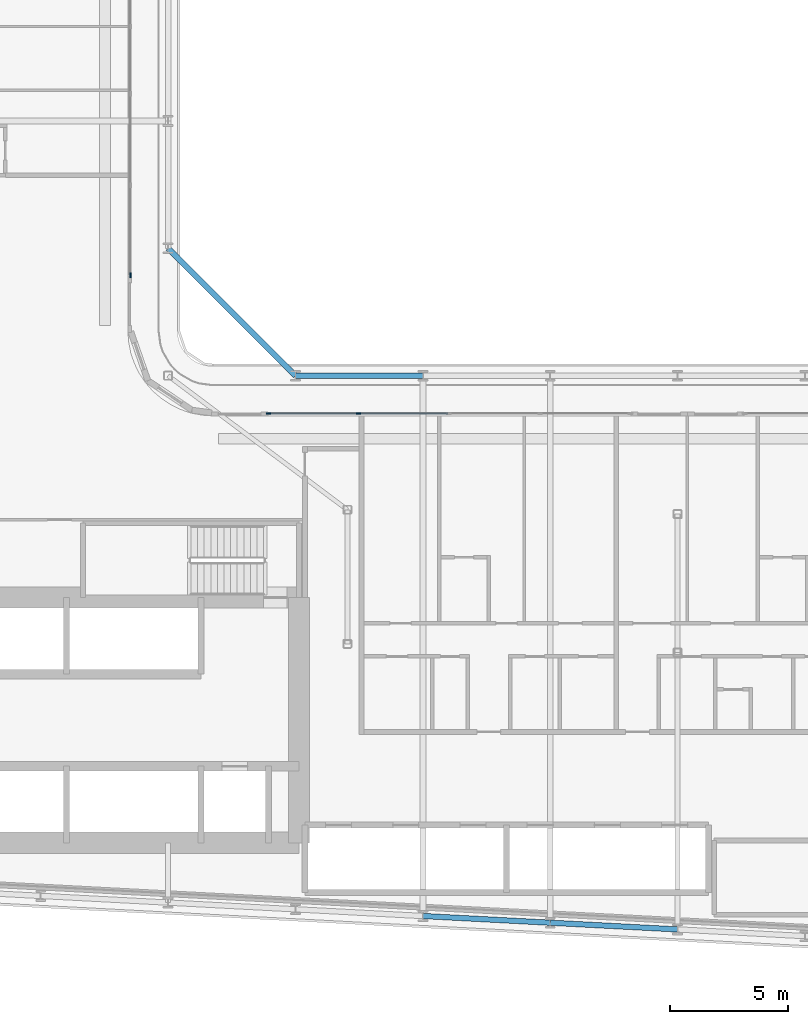
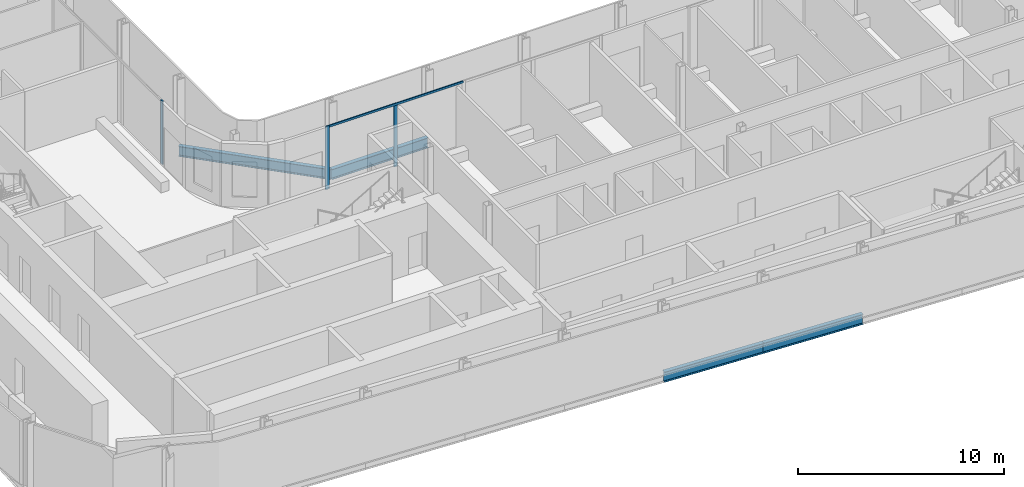
# One storey, part 4 of 29: 4 beams, 4 members, 2 elements without a shape of their own.
"""IFC4 building model written with IfcOpenShell, lengths in metres."""

from ifc_helpers import new_model, si_unit, direction, frame, origin, origin_2d, place, context, subcontext, project, spatial, rectangle, i_section, extrude, material, layer, layer_set, material_profile, profile_set, type_object, element, aggregate, save


model = new_model("IFC4")

# Units and contexts
model_context = context("Model", 3, precision=1e-05, world=origin(), true_north=direction((0.0, 1.0)))
body_context = subcontext(model_context, "Body", "Model", "MODEL_VIEW")
ifc_project = project(units=[si_unit("LENGTHUNIT", "METRE"), si_unit("AREAUNIT", "SQUARE_METRE"), si_unit("VOLUMEUNIT", "CUBIC_METRE"), si_unit("PLANEANGLEUNIT", "RADIAN"), si_unit("MASSUNIT", "GRAM", prefix="KILO")], contexts=[model_context])

# Site, building, storey
site_placement = place(None, origin())
site = spatial("IfcSite", under=ifc_project, at=site_placement, CompositionType="ELEMENT")
building_placement = place(site_placement, origin())
building = spatial("IfcBuilding", under=site, at=building_placement, Name="Kheshtan School and Residences Tower", CompositionType="ELEMENT")
storey_placement = place(building_placement, frame((0.0, 0.0, 121.39990234375)))
storey = spatial("IfcBuildingStorey", under=building, at=storey_placement, Name="L28", CompositionType="ELEMENT", Elevation=121.39990234375)

# Beams
ifc_material_1 = material(Name="Steel ASTM A992 Grade 50", Category="steel")
ifc_material_profile_1 = material_profile(ifc_material_1, i_section(OverallWidth=0.22802734375, OverallDepth=0.60302734375, WebThickness=0.010498046875, FlangeThickness=0.014892578125, FilletRadius=0.013427734375, at=origin_2d()), Name="W610x101")
ifc_profile_set_1 = profile_set([ifc_material_profile_1], Name="Steel ASTM A992 Grade 50")
beam_type = type_object("IfcBeamType", Name="Beam SP2 W610x101 ASTM A992 Grade 50", PredefinedType="BEAM", material=ifc_profile_set_1)
beam_1_placement = place(storey_placement, frame((47.60009765625, 51.0, -0.451416015625), z_axis=(0.707106781187, -0.707106781187, 0.0), x_axis=(0.707106781187, 0.707106781187, 0.0)))
element("IfcBeam", 1, at=beam_1_placement, inside=storey, type_object=beam_type, Name="Spandrel beam C079-C061", PredefinedType="BEAM", context=body_context, shape_type="SweptSolid", body=[
    extrude(i_section(OverallWidth=0.22802734375, OverallDepth=0.60302734375, WebThickness=0.010498046875, FlangeThickness=0.014892578125, FilletRadius=0.013427734375, at=origin_2d()), origin(), (0.0, 0.0, 1.0), 7.63671875),
])
beam_2_placement = place(storey_placement, frame((53.0, 45.60009765625, -0.451416015625), z_axis=(1.0, 0.0, 0.0), x_axis=(0.0, 1.0, 0.0)))
element("IfcBeam", 2, at=beam_2_placement, inside=storey, type_object=beam_type, Name="Spandrel beam C061-C062", PredefinedType="BEAM", context=body_context, shape_type="SweptSolid", body=[
    extrude(i_section(OverallWidth=0.22802734375, OverallDepth=0.60302734375, WebThickness=0.010498046875, FlangeThickness=0.014892578125, FilletRadius=0.013427734375, at=origin_2d()), origin(), (0.0, 0.0, 1.0), 5.39990234375),
])
beam_3_placement = place(storey_placement, frame((69.199951171875, 22.126953125, -0.451416015625), z_axis=(-0.998620447272, 0.05250906864, 0.0), x_axis=(-0.05250906864, -0.998620447272, 0.0)))
element("IfcBeam", 3, at=beam_3_placement, inside=storey, type_object=beam_type, Name="Spandrel beam C014-C016", PredefinedType="BEAM", context=body_context, shape_type="SweptSolid", body=[
    extrude(i_section(OverallWidth=0.22802734375, OverallDepth=0.60302734375, WebThickness=0.010498046875, FlangeThickness=0.014892578125, FilletRadius=0.013427734375, at=origin_2d()), origin(), (0.0, 0.0, 1.0), 5.407470703125),
])
beam_4_placement = place(storey_placement, frame((63.800048828125, 22.410888671875, -0.451416015625), z_axis=(-0.998618203458, 0.052551724256, 0.0), x_axis=(-0.052551724256, -0.998618203458, 0.0)))
element("IfcBeam", 4, at=beam_4_placement, inside=storey, type_object=beam_type, Name="Spandrel beam C016-C018", PredefinedType="BEAM", context=body_context, shape_type="SweptSolid", body=[
    extrude(i_section(OverallWidth=0.22802734375, OverallDepth=0.60302734375, WebThickness=0.010498046875, FlangeThickness=0.014892578125, FilletRadius=0.013427734375, at=origin_2d()), origin(), (0.0, 0.0, 1.0), 5.40771484375),
])

# Curtain wall, member
ifc_material_2 = material(Name="Clear low-e glass in thermally broken aluminium frame", Category="aluminium")
ifc_layer = layer(ifc_material_2, 0.199951171875)
ifc_layer_set = layer_set([ifc_layer], Name="Curtain wall CW-L")
curtain_wall_type = type_object("IfcCurtainWallType", Name="Curtain wall CW-L", PredefinedType="NOTDEFINED", material=ifc_layer_set)
curtain_wall_1_placement = place(storey_placement, origin())
curtain_wall_1 = element("IfcCurtainWall", 5, at=curtain_wall_1_placement, inside=storey, type_object=curtain_wall_type, Name="Curtain wall CWL8", PredefinedType="NOTDEFINED")
ifc_material_3 = material(Name="Thermally broken aluminium, dark bronze anodised", Category="aluminium")
ifc_material_profile_2 = material_profile(ifc_material_3, rectangle(XDim=0.06005859375, YDim=0.199951171875, at=origin_2d()), Name="CW-L mullion 60x200")
ifc_profile_set_2 = profile_set([ifc_material_profile_2], Name="Thermally broken aluminium, dark bronze anodised")
member_type_1 = type_object("IfcMemberType", Name="CW-L mullion 60x200", PredefinedType="MULLION", material=ifc_profile_set_2)
member_1_placement = place(storey_placement, frame((46.0, 49.860107421875, 0.0), z_axis=(0.0, 0.0, 1.0), x_axis=(1.0, 0.0, 0.0)))
member_1 = element("IfcMember", 6, at=member_1_placement, type_object=member_type_1, Name="CWL8 mullion 3", PredefinedType="MULLION", context=body_context, shape_type="SweptSolid", body=[
    extrude(rectangle(XDim=0.06005859375, YDim=0.199951171875, at=origin_2d()), origin(), (0.0, 0.0, 1.0), 3.75),
])
aggregate(curtain_wall_1, [member_1])

# Curtain wall, members
curtain_wall_2_placement = place(storey_placement, origin())
curtain_wall_2 = element("IfcCurtainWall", 7, at=curtain_wall_2_placement, inside=storey, type_object=curtain_wall_type, Name="Curtain wall CWL12j", PredefinedType="NOTDEFINED")
member_2_placement = place(storey_placement, frame((51.860107421875, 44.0, 0.0), z_axis=(0.0, 0.0, 1.0), x_axis=(0.0, 1.0, 0.0)))
member_2 = element("IfcMember", 8, at=member_2_placement, type_object=member_type_1, Name="CWL12j mullion 1", PredefinedType="MULLION", context=body_context, shape_type="SweptSolid", body=[
    extrude(rectangle(XDim=0.06005859375, YDim=0.199951171875, at=origin_2d()), origin(), (0.0, 0.0, 1.0), 3.75),
])
member_3_placement = place(storey_placement, frame((55.677001953125, 44.0, 0.0), z_axis=(0.0, 0.0, 1.0), x_axis=(0.0, 1.0, 0.0)))
member_3 = element("IfcMember", 9, at=member_3_placement, type_object=member_type_1, Name="CWL12j mullion 2", PredefinedType="MULLION", context=body_context, shape_type="SweptSolid", body=[
    extrude(rectangle(XDim=0.06005859375, YDim=0.199951171875, at=origin_2d()), origin(), (0.0, 0.0, 1.0), 3.630126953125),
])
ifc_material_profile_3 = material_profile(ifc_material_3, rectangle(XDim=0.06005859375, YDim=0.1201171875, at=origin_2d()), Name="CW-L transom 60x120")
ifc_profile_set_3 = profile_set([ifc_material_profile_3], Name="Thermally broken aluminium, dark bronze anodised")
member_type_2 = type_object("IfcMemberType", Name="CW-L transom 60x120", PredefinedType="USERDEFINED", material=ifc_profile_set_3)
member_4_placement = place(storey_placement, frame((51.889892578125, 44.0, 3.690185546875), z_axis=(1.0, 0.0, 0.0), x_axis=(0.0, 1.0, 0.0)))
member_4 = element("IfcMember", 10, at=member_4_placement, type_object=member_type_2, Name="CWL12j transom 1", ObjectType="TRANSOM", PredefinedType="USERDEFINED", context=body_context, shape_type="SweptSolid", body=[
    extrude(rectangle(XDim=0.06005859375, YDim=0.1201171875, at=origin_2d()), origin(), (0.0, 0.0, 1.0), 7.57421875),
])
aggregate(curtain_wall_2, [member_2, member_3, member_4])

save(model, "model.ifc")
